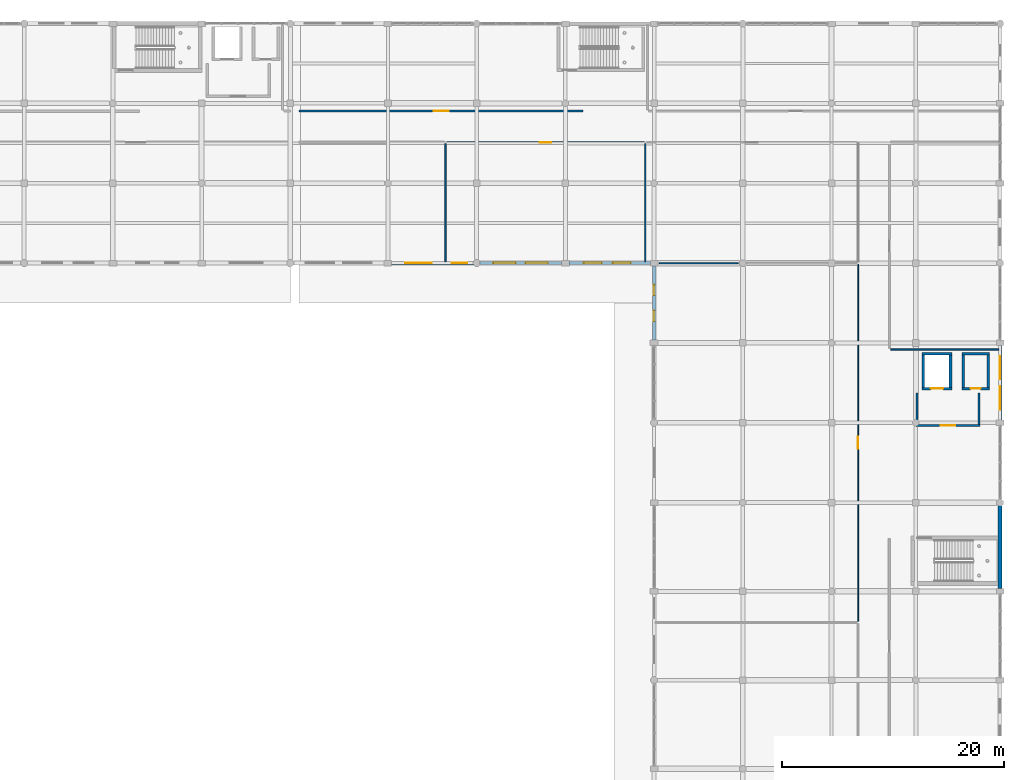
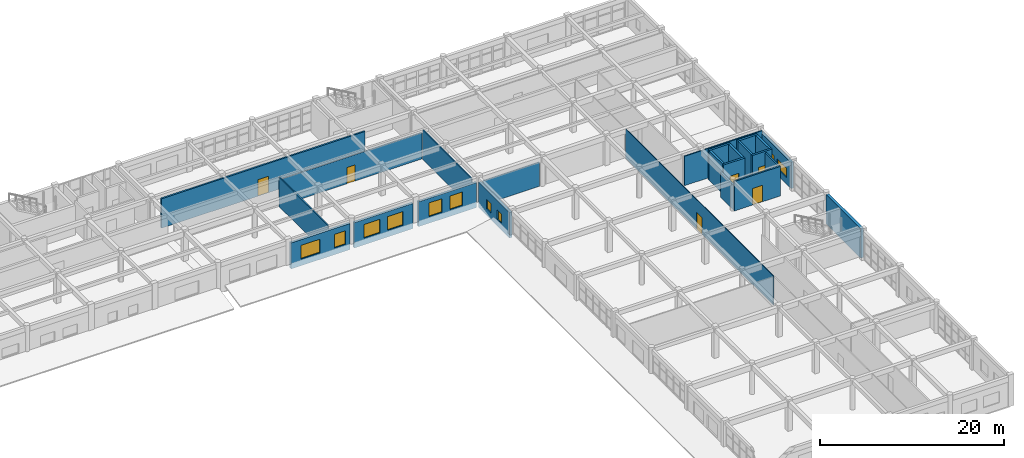
# One storey, part 111 of 121: 24 walls, 10 windows, 6 doors, 16 openings.
"""IFC4 building model written with IfcOpenShell, lengths in metres."""

from ifc_helpers import new_model, si_unit, direction, frame, frame_2d, origin, place, context, subcontext, project, spatial, rectangle, extrude, material, layer, layer_set, type_object, element, fill, save


model = new_model("IFC4")

# Units and contexts
model_context = context("Model", 3, precision=1e-05, world=origin(), true_north=direction((0.0, 1.0)))
body_context = subcontext(model_context, "Body", "Model", "MODEL_VIEW")
ifc_project = project(units=[si_unit("LENGTHUNIT", "METRE"), si_unit("AREAUNIT", "SQUARE_METRE"), si_unit("VOLUMEUNIT", "CUBIC_METRE"), si_unit("PLANEANGLEUNIT", "RADIAN"), si_unit("MASSUNIT", "GRAM", prefix="KILO")], contexts=[model_context])

# Site, building, storey
site_placement = place(None, origin())
site = spatial("IfcSite", under=ifc_project, at=site_placement, CompositionType="ELEMENT")
building_placement = place(site_placement, origin())
building = spatial("IfcBuilding", under=site, at=building_placement, Name="Kharva Crest Polytechnic", CompositionType="ELEMENT")
storey_placement = place(building_placement, frame((0.0, 0.0, 13.199951171875)))
storey = spatial("IfcBuildingStorey", under=building, at=storey_placement, Name="L03", CompositionType="ELEMENT", Elevation=13.199951171875)

# Wall, openings, windows
ifc_material_1 = material(Name="Kiln brick masonry", Category="masonry")
ifc_layer_1 = layer(ifc_material_1, 0.27490234375, Name="Kiln brick masonry")
ifc_layer_set_1 = layer_set([ifc_layer_1], Name="Kiln brick masonry")
wall_type_1 = type_object("IfcWallType", Name="WL-EXT-BRK-275", PredefinedType="SOLIDWALL", material=ifc_layer_set_1)
wall_1_placement = place(storey_placement, frame((145.14501953125, 100.39990234375, 0.0), z_axis=(0.0, 0.0, 1.0), x_axis=(1.0, 0.0, 0.0)))
wall_1 = element("IfcWall", 1, at=wall_1_placement, inside=storey, type_object=wall_type_1, Name="L03 Exterior Brick Wall 380", PredefinedType="SOLIDWALL", context=body_context, shape_type="SweptSolid", body=[
    extrude(rectangle(XDim=7.320068359375, YDim=0.27490234375, at=frame_2d((3.66015625, 0.0))), origin(), (0.0, 0.0, 1.0), 3.31005859375),
])
opening_1_placement = place(wall_1_placement, frame((1.324951171875, 0.0, 0.89990234375)))
opening_1 = element("IfcOpeningElement", 2, at=opening_1_placement, cuts=wall_1, Name="Opening W06", PredefinedType="OPENING", context=body_context, shape_type="SweptSolid", body=[
    extrude(rectangle(XDim=1.60009765625, YDim=1.800048828125, at=frame_2d((0.800048828125, 0.89990234375))), frame((0.0, 0.1474609375, 0.0), z_axis=(0.0, -1.0, 0.0), x_axis=(1.0, 0.0, 0.0)), (0.0, 0.0, 1.0), 0.294921875),
])
opening_2_placement = place(wall_1_placement, frame((3.929931640625, 0.0, 0.89990234375)))
opening_2 = element("IfcOpeningElement", 3, at=opening_2_placement, cuts=wall_1, Name="Opening W06", PredefinedType="OPENING", context=body_context, shape_type="SweptSolid", body=[
    extrude(rectangle(XDim=1.60009765625, YDim=1.800048828125, at=frame_2d((0.800048828125, 0.89990234375))), frame((0.0, 0.1474609375, 0.0), z_axis=(0.0, -1.0, 0.0), x_axis=(1.0, 0.0, 0.0)), (0.0, 0.0, 1.0), 0.294921875),
])
ifc_material_2 = material(Name="Anodised aluminium", Category="aluminium")
window_type_1 = type_object("IfcWindowType", Name="WIN-ALU-1600X1800", PartitioningType="SINGLE_PANEL", PredefinedType="WINDOW", material=ifc_material_2)
window_1_placement = place(opening_1_placement, origin())
window_1 = element("IfcWindow", 4, at=window_1_placement, inside=storey, type_object=window_type_1, Name="L03 Exterior Window 530", OverallHeight=1.800048828125, OverallWidth=1.60009765625, PartitioningType="SINGLE_PANEL", PredefinedType="WINDOW", context=body_context, shape_type="SweptSolid", body=[
    extrude(rectangle(XDim=1.60009765625, YDim=1.800048828125, at=frame_2d((0.800048828125, 0.89990234375))), frame((0.0, 0.030029296875, 0.0), z_axis=(0.0, -1.0, 0.0), x_axis=(1.0, 0.0, 0.0)), (0.0, 0.0, 1.0), 0.06005859375),
])
fill(opening_1, window_1)
window_2_placement = place(opening_2_placement, origin())
window_2 = element("IfcWindow", 5, at=window_2_placement, inside=storey, type_object=window_type_1, Name="L03 Exterior Window 531", OverallHeight=1.800048828125, OverallWidth=1.60009765625, PartitioningType="SINGLE_PANEL", PredefinedType="WINDOW", context=body_context, shape_type="SweptSolid", body=[
    extrude(rectangle(XDim=1.60009765625, YDim=1.800048828125, at=frame_2d((0.800048828125, 0.89990234375))), frame((0.0, 0.030029296875, 0.0), z_axis=(0.0, -1.0, 0.0), x_axis=(1.0, 0.0, 0.0)), (0.0, 0.0, 1.0), 0.06005859375),
])
fill(opening_2, window_2)

ifc_layer_2 = layer(ifc_material_1, 0.2900390625, Name="Kiln brick masonry")
ifc_layer_set_2 = layer_set([ifc_layer_2], Name="Kiln brick masonry")
wall_type_2 = type_object("IfcWallType", Name="WL-EXT-BRK-290", PredefinedType="SOLIDWALL", material=ifc_layer_set_2)
wall_2_placement = place(storey_placement, frame((137.06884765625, 100.39990234375, 0.0), z_axis=(0.0, 0.0, 1.0), x_axis=(1.0, 0.0, 0.0)))
wall_2 = element("IfcWall", 6, at=wall_2_placement, inside=storey, type_object=wall_type_2, Name="L03 Exterior Brick Wall 379", PredefinedType="SOLIDWALL", context=body_context, shape_type="SweptSolid", body=[
    extrude(rectangle(XDim=7.38623046875, YDim=0.2900390625, at=frame_2d((3.693115234375, 0.0))), origin(), (0.0, 0.0, 1.0), 3.360107421875),
])
opening_3_placement = place(wall_2_placement, frame((1.235107421875, 0.0, 0.89990234375)))
opening_3 = element("IfcOpeningElement", 7, at=opening_3_placement, cuts=wall_2, Name="Opening W04", PredefinedType="OPENING", context=body_context, shape_type="SweptSolid", body=[
    extrude(rectangle(XDim=2.0, YDim=1.800048828125, at=frame_2d((1.0, 0.89990234375))), frame((0.0, 0.155029296875, 0.0), z_axis=(0.0, -1.0, 0.0), x_axis=(1.0, 0.0, 0.0)), (0.0, 0.0, 1.0), 0.31005859375),
])
opening_4_placement = place(wall_2_placement, frame((4.15087890625, 0.0, 0.89990234375)))
opening_4 = element("IfcOpeningElement", 8, at=opening_4_placement, cuts=wall_2, Name="Opening W04", PredefinedType="OPENING", context=body_context, shape_type="SweptSolid", body=[
    extrude(rectangle(XDim=2.0, YDim=1.800048828125, at=frame_2d((1.0, 0.89990234375))), frame((0.0, 0.155029296875, 0.0), z_axis=(0.0, -1.0, 0.0), x_axis=(1.0, 0.0, 0.0)), (0.0, 0.0, 1.0), 0.31005859375),
])
window_type_2 = type_object("IfcWindowType", Name="WIN-ALU-2000X1800", PartitioningType="SINGLE_PANEL", PredefinedType="WINDOW", material=ifc_material_2)
window_3_placement = place(opening_3_placement, origin())
window_3 = element("IfcWindow", 9, at=window_3_placement, inside=storey, type_object=window_type_2, Name="L03 Exterior Window 528", OverallHeight=1.800048828125, OverallWidth=2.0, PartitioningType="SINGLE_PANEL", PredefinedType="WINDOW", context=body_context, shape_type="SweptSolid", body=[
    extrude(rectangle(XDim=2.0, YDim=1.800048828125, at=frame_2d((1.0, 0.89990234375))), frame((0.0, 0.030029296875, 0.0), z_axis=(0.0, -1.0, 0.0), x_axis=(1.0, 0.0, 0.0)), (0.0, 0.0, 1.0), 0.06005859375),
])
fill(opening_3, window_3)
window_4_placement = place(opening_4_placement, origin())
window_4 = element("IfcWindow", 10, at=window_4_placement, inside=storey, type_object=window_type_2, Name="L03 Exterior Window 529", OverallHeight=1.800048828125, OverallWidth=2.0, PartitioningType="SINGLE_PANEL", PredefinedType="WINDOW", context=body_context, shape_type="SweptSolid", body=[
    extrude(rectangle(XDim=2.0, YDim=1.800048828125, at=frame_2d((1.0, 0.89990234375))), frame((0.0, 0.030029296875, 0.0), z_axis=(0.0, -1.0, 0.0), x_axis=(1.0, 0.0, 0.0)), (0.0, 0.0, 1.0), 0.06005859375),
])
fill(opening_4, window_4)

ifc_layer_3 = layer(ifc_material_1, 0.304931640625, Name="Kiln brick masonry")
ifc_layer_set_3 = layer_set([ifc_layer_3], Name="Kiln brick masonry")
wall_type_3 = type_object("IfcWallType", Name="WL-EXT-BRK-305", PredefinedType="SOLIDWALL", material=ifc_layer_set_3)
wall_3_placement = place(storey_placement, frame((129.135009765625, 100.39990234375, 0.0), z_axis=(0.0, 0.0, 1.0), x_axis=(1.0, 0.0, 0.0)))
wall_3 = element("IfcWall", 11, at=wall_3_placement, inside=storey, type_object=wall_type_3, Name="L03 Exterior Brick Wall 378", PredefinedType="SOLIDWALL", context=body_context, shape_type="SweptSolid", body=[
    extrude(rectangle(XDim=7.396240234375, YDim=0.304931640625, at=frame_2d((3.6982421875, 0.0))), origin(), (0.0, 0.0, 1.0), 3.4599609375),
])
opening_5_placement = place(wall_3_placement, frame((1.23193359375, 0.0, 0.89990234375)))
opening_5 = element("IfcOpeningElement", 12, at=opening_5_placement, cuts=wall_3, Name="Opening W02", PredefinedType="OPENING", context=body_context, shape_type="SweptSolid", body=[
    extrude(rectangle(XDim=2.39990234375, YDim=1.800048828125, at=frame_2d((1.199951171875, 0.89990234375))), frame((0.0, 0.162353515625, 0.0), z_axis=(0.0, -1.0, 0.0), x_axis=(1.0, 0.0, 0.0)), (0.0, 0.0, 1.0), 0.324951171875),
])
opening_6_placement = place(wall_3_placement, frame((5.430908203125, 0.0, 0.89990234375)))
opening_6 = element("IfcOpeningElement", 13, at=opening_6_placement, cuts=wall_3, Name="Opening W07", PredefinedType="OPENING", context=body_context, shape_type="SweptSolid", body=[
    extrude(rectangle(XDim=1.39990234375, YDim=1.800048828125, at=frame_2d((0.699951171875, 0.89990234375))), frame((0.0, 0.162353515625, 0.0), z_axis=(0.0, -1.0, 0.0), x_axis=(1.0, 0.0, 0.0)), (0.0, 0.0, 1.0), 0.324951171875),
])
window_type_3 = type_object("IfcWindowType", Name="WIN-ALU-1400X1800", PartitioningType="SINGLE_PANEL", PredefinedType="WINDOW", material=ifc_material_2)
window_5_placement = place(opening_6_placement, origin())
window_5 = element("IfcWindow", 14, at=window_5_placement, inside=storey, type_object=window_type_3, Name="L03 Exterior Window 527", OverallHeight=1.800048828125, OverallWidth=1.39990234375, PartitioningType="SINGLE_PANEL", PredefinedType="WINDOW", context=body_context, shape_type="SweptSolid", body=[
    extrude(rectangle(XDim=1.39990234375, YDim=1.800048828125, at=frame_2d((0.699951171875, 0.89990234375))), frame((0.0, 0.030029296875, 0.0), z_axis=(0.0, -1.0, 0.0), x_axis=(1.0, 0.0, 0.0)), (0.0, 0.0, 1.0), 0.06005859375),
])
fill(opening_6, window_5)
window_type_4 = type_object("IfcWindowType", Name="WIN-ALU-2400X1800", PartitioningType="SINGLE_PANEL", PredefinedType="WINDOW", material=ifc_material_2)
window_6_placement = place(opening_5_placement, origin())
window_6 = element("IfcWindow", 15, at=window_6_placement, inside=storey, type_object=window_type_4, Name="L03 Exterior Window 526", OverallHeight=1.800048828125, OverallWidth=2.39990234375, PartitioningType="SINGLE_PANEL", PredefinedType="WINDOW", context=body_context, shape_type="SweptSolid", body=[
    extrude(rectangle(XDim=2.39990234375, YDim=1.800048828125, at=frame_2d((1.199951171875, 0.89990234375))), frame((0.0, 0.030029296875, 0.0), z_axis=(0.0, -1.0, 0.0), x_axis=(1.0, 0.0, 0.0)), (0.0, 0.0, 1.0), 0.06005859375),
])
fill(opening_5, window_6)

ifc_layer_4 = layer(ifc_material_1, 0.320068359375, Name="Kiln brick masonry")
ifc_layer_set_4 = layer_set([ifc_layer_4], Name="Kiln brick masonry")
wall_type_4 = type_object("IfcWallType", Name="WL-EXT-BRK-320", PredefinedType="SOLIDWALL", material=ifc_layer_set_4)
wall_4_placement = place(storey_placement, frame((152.800048828125, 100.155029296875, 0.0), z_axis=(0.0, 0.0, 1.0), x_axis=(0.0, -1.0, 0.0)))
wall_4 = element("IfcWall", 16, at=wall_4_placement, inside=storey, type_object=wall_type_4, Name="L03 Exterior Brick Wall 332", PredefinedType="SOLIDWALL", context=body_context, shape_type="SweptSolid", body=[
    extrude(rectangle(XDim=6.7099609375, YDim=0.320068359375, at=frame_2d((3.35498046875, 0.0))), origin(), (0.0, 0.0, 1.0), 3.380126953125),
])
opening_7_placement = place(wall_4_placement, frame((1.7099609375, 0.0, 0.89990234375)))
opening_7 = element("IfcOpeningElement", 17, at=opening_7_placement, cuts=wall_4, Name="Opening W22", PredefinedType="OPENING", context=body_context, shape_type="SweptSolid", body=[
    extrude(rectangle(XDim=0.949951171875, YDim=1.25, at=frame_2d((0.47509765625, 0.625))), frame((0.0, 0.169921875, 0.0), z_axis=(0.0, -1.0, 0.0), x_axis=(1.0, 0.0, 0.0)), (0.0, 0.0, 1.0), 0.340087890625),
])
opening_8_placement = place(wall_4_placement, frame((4.050048828125, 0.0, 0.89990234375)))
opening_8 = element("IfcOpeningElement", 18, at=opening_8_placement, cuts=wall_4, Name="Opening W22", PredefinedType="OPENING", context=body_context, shape_type="SweptSolid", body=[
    extrude(rectangle(XDim=0.949951171875, YDim=1.25, at=frame_2d((0.47509765625, 0.625))), frame((0.0, 0.169921875, 0.0), z_axis=(0.0, -1.0, 0.0), x_axis=(1.0, 0.0, 0.0)), (0.0, 0.0, 1.0), 0.340087890625),
])
window_type_5 = type_object("IfcWindowType", Name="WIN-ALU-950X1250", PartitioningType="SINGLE_PANEL", PredefinedType="WINDOW", material=ifc_material_2)
window_7_placement = place(opening_7_placement, origin())
window_7 = element("IfcWindow", 19, at=window_7_placement, inside=storey, type_object=window_type_5, Name="L03 Exterior Window 450", OverallHeight=1.25, OverallWidth=0.949951171875, PartitioningType="SINGLE_PANEL", PredefinedType="WINDOW", context=body_context, shape_type="SweptSolid", body=[
    extrude(rectangle(XDim=0.949951171875, YDim=1.25, at=frame_2d((0.47509765625, 0.625))), frame((0.0, 0.030029296875, 0.0), z_axis=(0.0, -1.0, 0.0), x_axis=(1.0, 0.0, 0.0)), (0.0, 0.0, 1.0), 0.06005859375),
])
fill(opening_7, window_7)
window_8_placement = place(opening_8_placement, origin())
window_8 = element("IfcWindow", 20, at=window_8_placement, inside=storey, type_object=window_type_5, Name="L03 Exterior Window 451", OverallHeight=1.25, OverallWidth=0.949951171875, PartitioningType="SINGLE_PANEL", PredefinedType="WINDOW", context=body_context, shape_type="SweptSolid", body=[
    extrude(rectangle(XDim=0.949951171875, YDim=1.25, at=frame_2d((0.47509765625, 0.625))), frame((0.0, 0.030029296875, 0.0), z_axis=(0.0, -1.0, 0.0), x_axis=(1.0, 0.0, 0.0)), (0.0, 0.0, 1.0), 0.06005859375),
])
fill(opening_8, window_8)

wall_5_placement = place(storey_placement, frame((184.0, 86.2451171875, 0.0), z_axis=(0.0, 0.0, 1.0), x_axis=(0.0, 1.0, 0.0)))
wall_5 = element("IfcWall", 21, at=wall_5_placement, inside=storey, type_object=wall_type_4, Name="L03 Exterior Brick Wall 343", PredefinedType="SOLIDWALL", context=body_context, shape_type="SweptSolid", body=[
    extrude(rectangle(XDim=6.7099609375, YDim=0.320068359375, at=frame_2d((3.35498046875, 0.0))), origin(), (0.0, 0.0, 1.0), 3.5),
])
opening_9_placement = place(wall_5_placement, frame((0.943115234375, 0.0, 0.89990234375)))
opening_9 = element("IfcOpeningElement", 22, at=opening_9_placement, cuts=wall_5, Name="Opening W18", PredefinedType="OPENING", context=body_context, shape_type="SweptSolid", body=[
    extrude(rectangle(XDim=2.10009765625, YDim=1.25, at=frame_2d((1.050048828125, 0.625))), frame((0.0, 0.169921875, 0.0), z_axis=(0.0, -1.0, 0.0), x_axis=(1.0, 0.0, 0.0)), (0.0, 0.0, 1.0), 0.340087890625),
])
opening_10_placement = place(wall_5_placement, frame((3.6669921875, 0.0, 0.89990234375)))
opening_10 = element("IfcOpeningElement", 23, at=opening_10_placement, cuts=wall_5, Name="Opening W18", PredefinedType="OPENING", context=body_context, shape_type="SweptSolid", body=[
    extrude(rectangle(XDim=2.10009765625, YDim=1.25, at=frame_2d((1.050048828125, 0.625))), frame((0.0, 0.169921875, 0.0), z_axis=(0.0, -1.0, 0.0), x_axis=(1.0, 0.0, 0.0)), (0.0, 0.0, 1.0), 0.340087890625),
])
window_type_6 = type_object("IfcWindowType", Name="WIN-ALU-2100X1250", PartitioningType="SINGLE_PANEL", PredefinedType="WINDOW", material=ifc_material_2)
window_9_placement = place(opening_9_placement, origin())
window_9 = element("IfcWindow", 24, at=window_9_placement, inside=storey, type_object=window_type_6, Name="L03 Exterior Window 470", OverallHeight=1.25, OverallWidth=2.10009765625, PartitioningType="SINGLE_PANEL", PredefinedType="WINDOW", context=body_context, shape_type="SweptSolid", body=[
    extrude(rectangle(XDim=2.10009765625, YDim=1.25, at=frame_2d((1.050048828125, 0.625))), frame((0.0, 0.030029296875, 0.0), z_axis=(0.0, -1.0, 0.0), x_axis=(1.0, 0.0, 0.0)), (0.0, 0.0, 1.0), 0.06005859375),
])
fill(opening_9, window_9)
window_10_placement = place(opening_10_placement, origin())
window_10 = element("IfcWindow", 25, at=window_10_placement, inside=storey, type_object=window_type_6, Name="L03 Exterior Window 471", OverallHeight=1.25, OverallWidth=2.10009765625, PartitioningType="SINGLE_PANEL", PredefinedType="WINDOW", context=body_context, shape_type="SweptSolid", body=[
    extrude(rectangle(XDim=2.10009765625, YDim=1.25, at=frame_2d((1.050048828125, 0.625))), frame((0.0, 0.030029296875, 0.0), z_axis=(0.0, -1.0, 0.0), x_axis=(1.0, 0.0, 0.0)), (0.0, 0.0, 1.0), 0.06005859375),
])
fill(opening_10, window_10)

# Wall
ifc_layer_5 = layer(ifc_material_1, 0.35009765625, Name="Kiln brick masonry")
ifc_layer_set_5 = layer_set([ifc_layer_5], Name="Kiln brick masonry")
wall_type_5 = type_object("IfcWallType", Name="WL-EXT-BRK-350", PredefinedType="SOLIDWALL", material=ifc_layer_set_5)
wall_6_placement = place(storey_placement, frame((184.0, 71.044921875, 0.0), z_axis=(0.0, 0.0, 1.0), x_axis=(0.0, 1.0, 0.0)))
element("IfcWall", 26, at=wall_6_placement, inside=storey, type_object=wall_type_5, Name="L03 Exterior Brick Wall 342", PredefinedType="SOLIDWALL", context=body_context, shape_type="SweptSolid", body=[
    extrude(rectangle(XDim=7.486328125, YDim=0.35009765625, at=frame_2d((3.7431640625, 0.0))), origin(), (0.0, 0.0, 1.0), 3.920166015625),
])

# Wall, opening, door
ifc_layer_6 = layer(ifc_material_1, 0.199951171875, Name="Kiln brick masonry")
ifc_layer_set_6 = layer_set([ifc_layer_6], Name="Kiln brick masonry")
wall_type_6 = type_object("IfcWallType", Name="WL-FIRE-FW1-200", PredefinedType="SOLIDWALL", material=ifc_layer_set_6)
wall_7_placement = place(storey_placement, frame((176.39990234375, 85.75, 0.0), z_axis=(0.0, 0.0, 1.0), x_axis=(1.0, 0.0, 0.0)))
wall_7 = element("IfcWall", 27, at=wall_7_placement, inside=storey, type_object=wall_type_6, Name="L03 Firefighting Lobby FL2 South Wall", PredefinedType="SOLIDWALL", context=body_context, shape_type="SweptSolid", body=[
    extrude(rectangle(XDim=5.800048828125, YDim=0.199951171875, at=frame_2d((2.89990234375, 0.0))), origin(), (0.0, 0.0, 1.0), 3.920166015625),
])
opening_11_placement = place(wall_7_placement, frame((2.25, 0.0, 0.0)))
opening_11 = element("IfcOpeningElement", 28, at=opening_11_placement, cuts=wall_7, Name="Opening FD2", PredefinedType="OPENING", context=body_context, shape_type="SweptSolid", body=[
    extrude(rectangle(XDim=1.300048828125, YDim=2.199951171875, at=frame_2d((0.64990234375, 1.10009765625))), frame((0.0, 0.10986328125, 0.0), z_axis=(0.0, -1.0, 0.0), x_axis=(1.0, 0.0, 0.0)), (0.0, 0.0, 1.0), 0.219970703125),
])
ifc_material_3 = material(Name="Teak timber", Category="wood")
door_type_1 = type_object("IfcDoorType", Name="DR-FFLOB-1300X2200", OperationType="NOTDEFINED", PredefinedType="DOOR", material=ifc_material_3)
door_1_placement = place(opening_11_placement, origin())
door_1 = element("IfcDoor", 29, at=door_1_placement, inside=storey, type_object=door_type_1, Name="L03 Firefighting Lobby FL2 Smoke Door", OperationType="SINGLE_SWING_RIGHT", OverallHeight=2.199951171875, OverallWidth=1.300048828125, PredefinedType="DOOR", context=body_context, shape_type="SweptSolid", body=[
    extrude(rectangle(XDim=1.300048828125, YDim=2.199951171875, at=frame_2d((0.64990234375, 1.10009765625))), frame((0.0, 0.02490234375, 0.0), z_axis=(0.0, -1.0, 0.0), x_axis=(1.0, 0.0, 0.0)), (0.0, 0.0, 1.0), 0.050048828125),
])
fill(opening_11, door_1)

# Walls
wall_8_placement = place(storey_placement, frame((176.5, 85.85009765625, 0.0), z_axis=(0.0, 0.0, 1.0), x_axis=(0.0, 1.0, 0.0)))
element("IfcWall", 30, at=wall_8_placement, inside=storey, type_object=wall_type_6, Name="L03 Firefighting Lobby FL2 West Wall", PredefinedType="SOLIDWALL", context=body_context, shape_type="SweptSolid", body=[
    extrude(rectangle(XDim=2.849853515625, YDim=0.199951171875, at=frame_2d((1.4248046875, 0.0))), origin(), (0.0, 0.0, 1.0), 3.280029296875),
])
wall_9_placement = place(storey_placement, frame((182.10009765625, 85.85009765625, 0.0), z_axis=(0.0, 0.0, 1.0), x_axis=(0.0, 1.0, 0.0)))
element("IfcWall", 31, at=wall_9_placement, inside=storey, type_object=wall_type_6, Name="L03 Firefighting Lobby FL2 East Wall", PredefinedType="SOLIDWALL", context=body_context, shape_type="SweptSolid", body=[
    extrude(rectangle(XDim=2.849853515625, YDim=0.199951171875, at=frame_2d((1.4248046875, 0.0))), origin(), (0.0, 0.0, 1.0), 3.920166015625),
])

# Wall, opening, door
ifc_layer_7 = layer(ifc_material_1, 0.090087890625, Name="Kiln brick masonry")
ifc_layer_set_7 = layer_set([ifc_layer_7], Name="Kiln brick masonry")
wall_type_7 = type_object("IfcWallType", Name="WL-PART-090", PredefinedType="PARTITIONING", material=ifc_layer_set_7)
wall_10_placement = place(storey_placement, frame((171.18994140625, 68.1201171875, 0.0), z_axis=(0.0, 0.0, 1.0), x_axis=(0.0, 1.0, 0.0)))
wall_10 = element("IfcWall", 32, at=wall_10_placement, inside=storey, type_object=wall_type_7, Name="L03 Interior Partition 329", PredefinedType="PARTITIONING", context=body_context, shape_type="SweptSolid", body=[
    extrude(rectangle(XDim=32.159912109375, YDim=0.090087890625, at=frame_2d((16.080078125, 0.0))), origin(), (0.0, 0.0, 1.0), 3.900146484375),
])
opening_12_placement = place(wall_10_placement, frame((15.52001953125, 0.0, 0.0)))
opening_12 = element("IfcOpeningElement", 33, at=opening_12_placement, cuts=wall_10, Name="Opening ID9", PredefinedType="OPENING", context=body_context, shape_type="SweptSolid", body=[
    extrude(rectangle(XDim=1.1201171875, YDim=2.199951171875, at=frame_2d((0.56005859375, 1.10009765625))), frame((0.0, 0.054931640625, 0.0), z_axis=(0.0, -1.0, 0.0), x_axis=(1.0, 0.0, 0.0)), (0.0, 0.0, 1.0), 0.110107421875),
])
door_type_2 = type_object("IfcDoorType", Name="DR-STD-1120X2200", OperationType="NOTDEFINED", PredefinedType="DOOR", material=ifc_material_3)
door_2_placement = place(opening_12_placement, origin())
door_2 = element("IfcDoor", 34, at=door_2_placement, inside=storey, type_object=door_type_2, Name="L03 Product Design Studio L03-E2 Door", OperationType="SINGLE_SWING_LEFT", OverallHeight=2.199951171875, OverallWidth=1.1201171875, PredefinedType="DOOR", context=body_context, shape_type="SweptSolid", body=[
    extrude(rectangle(XDim=1.1201171875, YDim=2.199951171875, at=frame_2d((0.56005859375, 1.10009765625))), frame((0.0, 0.02490234375, 0.0), z_axis=(0.0, -1.0, 0.0), x_axis=(1.0, 0.0, 0.0)), (0.0, 0.0, 1.0), 0.050048828125),
])
fill(opening_12, door_2)

# Walls
ifc_layer_8 = layer(ifc_material_1, 0.10009765625, Name="Kiln brick masonry")
ifc_layer_set_8 = layer_set([ifc_layer_8], Name="Kiln brick masonry")
wall_type_8 = type_object("IfcWallType", Name="WL-PART-100", PredefinedType="PARTITIONING", material=ifc_layer_set_8)
wall_11_placement = place(storey_placement, frame((153.27001953125, 100.389892578125, 0.0), z_axis=(0.0, 0.0, 1.0), x_axis=(1.0, 0.0, 0.0)))
element("IfcWall", 35, at=wall_11_placement, inside=storey, type_object=wall_type_8, Name="L03 Interior Partition 328", PredefinedType="PARTITIONING", context=body_context, shape_type="SweptSolid", body=[
    extrude(rectangle(XDim=7.10986328125, YDim=0.10009765625, at=frame_2d((3.554931640625, 0.0))), origin(), (0.0, 0.0, 1.0), 3.2099609375),
])
ifc_layer_9 = layer(ifc_material_1, 0.1298828125, Name="Kiln brick masonry")
ifc_layer_set_9 = layer_set([ifc_layer_9], Name="Kiln brick masonry")
wall_type_9 = type_object("IfcWallType", Name="WL-PART-130", PredefinedType="PARTITIONING", material=ifc_layer_set_9)
wall_12_placement = place(storey_placement, frame((152.0, 100.510009765625, 0.0), z_axis=(0.0, 0.0, 1.0), x_axis=(0.0, 1.0, 0.0)))
element("IfcWall", 36, at=wall_12_placement, inside=storey, type_object=wall_type_9, Name="L03 Interior Partition 315", PredefinedType="PARTITIONING", context=body_context, shape_type="SweptSolid", body=[
    extrude(rectangle(XDim=10.669921875, YDim=0.1298828125, at=frame_2d((5.3349609375, 0.0))), origin(), (0.0, 0.0, 1.0), 3.900146484375),
])

# Wall, opening, door
ifc_layer_10 = layer(ifc_material_1, 0.139892578125, Name="Kiln brick masonry")
ifc_layer_set_10 = layer_set([ifc_layer_10], Name="Kiln brick masonry")
wall_type_10 = type_object("IfcWallType", Name="WL-PART-140", PredefinedType="PARTITIONING", material=ifc_layer_set_10)
wall_13_placement = place(storey_placement, frame((134.1201171875, 111.2900390625, 0.0), z_axis=(0.0, 0.0, 1.0), x_axis=(1.0, 0.0, 0.0)))
wall_13 = element("IfcWall", 37, at=wall_13_placement, inside=storey, type_object=wall_type_10, Name="L03 Interior Partition 314", PredefinedType="PARTITIONING", context=body_context, shape_type="SweptSolid", body=[
    extrude(rectangle(XDim=17.769775390625, YDim=0.139892578125, at=frame_2d((8.884765625, 0.0))), origin(), (0.0, 0.0, 1.0), 3.5),
])
opening_13_placement = place(wall_13_placement, frame((8.364990234375, 0.0, 0.0)))
opening_13 = element("IfcOpeningElement", 38, at=opening_13_placement, cuts=wall_13, Name="Opening ID11", PredefinedType="OPENING", context=body_context, shape_type="SweptSolid", body=[
    extrude(rectangle(XDim=1.0400390625, YDim=2.14990234375, at=frame_2d((0.52001953125, 1.074951171875))), frame((0.0, 0.079833984375, 0.0), z_axis=(0.0, -1.0, 0.0), x_axis=(1.0, 0.0, 0.0)), (0.0, 0.0, 1.0), 0.159912109375),
])
door_type_3 = type_object("IfcDoorType", Name="DR-CLS-1040X2150", OperationType="NOTDEFINED", PredefinedType="DOOR", material=ifc_material_3)
door_3_placement = place(opening_13_placement, origin())
door_3 = element("IfcDoor", 39, at=door_3_placement, inside=storey, type_object=door_type_3, Name="L03 Group Study Seminar Room L03-A Door", OperationType="SINGLE_SWING_LEFT", OverallHeight=2.14990234375, OverallWidth=1.0400390625, PredefinedType="DOOR", context=body_context, shape_type="SweptSolid", body=[
    extrude(rectangle(XDim=1.0400390625, YDim=2.14990234375, at=frame_2d((0.52001953125, 1.074951171875))), frame((0.0, 0.02490234375, 0.0), z_axis=(0.0, -1.0, 0.0), x_axis=(1.0, 0.0, 0.0)), (0.0, 0.0, 1.0), 0.050048828125),
])
fill(opening_13, door_3)

# Walls
ifc_layer_11 = layer(ifc_material_1, 0.14990234375, Name="Kiln brick masonry")
ifc_layer_set_11 = layer_set([ifc_layer_11], Name="Kiln brick masonry")
wall_type_11 = type_object("IfcWallType", Name="WL-PART-150", PredefinedType="PARTITIONING", material=ifc_layer_set_11)
wall_14_placement = place(storey_placement, frame((134.0, 100.510009765625, 0.0), z_axis=(0.0, 0.0, 1.0), x_axis=(0.0, 1.0, 0.0)))
element("IfcWall", 40, at=wall_14_placement, inside=storey, type_object=wall_type_11, Name="L03 Interior Partition 313", PredefinedType="PARTITIONING", context=body_context, shape_type="SweptSolid", body=[
    extrude(rectangle(XDim=10.669921875, YDim=0.14990234375, at=frame_2d((5.3349609375, 0.0))), origin(), (0.0, 0.0, 1.0), 3.900146484375),
])
wall_15_placement = place(storey_placement, frame((174.1201171875, 92.60009765625, 0.0), z_axis=(0.0, 0.0, 1.0), x_axis=(1.0, 0.0, 0.0)))
element("IfcWall", 41, at=wall_15_placement, inside=storey, type_object=wall_type_11, Name="L03 Interior Partition 333", PredefinedType="PARTITIONING", context=body_context, shape_type="SweptSolid", body=[
    extrude(rectangle(XDim=9.769775390625, YDim=0.14990234375, at=frame_2d((4.884765625, 0.0))), origin(), (0.0, 0.0, 1.0), 3.900146484375),
])

# Wall, opening, door
ifc_layer_12 = layer(ifc_material_1, 0.205078125, Name="Kiln brick masonry")
ifc_layer_set_12 = layer_set([ifc_layer_12], Name="Kiln brick masonry")
wall_type_12 = type_object("IfcWallType", Name="WL-PART-205", PredefinedType="PARTITIONING", material=ifc_layer_set_12)
wall_16_placement = place(storey_placement, frame((120.800048828125, 114.110107421875, 0.0), z_axis=(0.0, 0.0, 1.0), x_axis=(1.0, 0.0, 0.0)))
wall_16 = element("IfcWall", 42, at=wall_16_placement, inside=storey, type_object=wall_type_12, Name="L03 Interior Partition 322 E", PredefinedType="PARTITIONING", context=body_context, shape_type="SweptSolid", body=[
    extrude(rectangle(XDim=25.579833984375, YDim=0.205078125, at=frame_2d((12.7900390625, 0.0))), origin(), (0.0, 0.0, 1.0), 3.900146484375),
])
opening_14_placement = place(wall_16_placement, frame((12.114990234375, 0.0, 0.0)))
opening_14 = element("IfcOpeningElement", 43, at=opening_14_placement, cuts=wall_16, Name="Opening ID6", PredefinedType="OPENING", context=body_context, shape_type="SweptSolid", body=[
    extrude(rectangle(XDim=1.35009765625, YDim=2.199951171875, at=frame_2d((0.675048828125, 1.10009765625))), frame((0.0, 0.112548828125, 0.0), z_axis=(0.0, -1.0, 0.0), x_axis=(1.0, 0.0, 0.0)), (0.0, 0.0, 1.0), 0.22509765625),
])
door_type_4 = type_object("IfcDoorType", Name="DR-LAB-1350X2200", OperationType="NOTDEFINED", PredefinedType="DOOR", material=ifc_material_3)
door_4_placement = place(opening_14_placement, origin())
door_4 = element("IfcDoor", 44, at=door_4_placement, inside=storey, type_object=door_type_4, Name="L03 Renewable Solar Energy Laboratory Door", OperationType="SINGLE_SWING_RIGHT", OverallHeight=2.199951171875, OverallWidth=1.35009765625, PredefinedType="DOOR", context=body_context, shape_type="SweptSolid", body=[
    extrude(rectangle(XDim=1.35009765625, YDim=2.199951171875, at=frame_2d((0.675048828125, 1.10009765625))), frame((0.0, 0.02490234375, 0.0), z_axis=(0.0, -1.0, 0.0), x_axis=(1.0, 0.0, 0.0)), (0.0, 0.0, 1.0), 0.050048828125),
])
fill(opening_14, door_4)

ifc_material_4 = material(Name="Concrete C40/50", Category="concrete")
ifc_layer_13 = layer(ifc_material_4, 0.25, Name="Concrete C40/50")
ifc_layer_set_13 = layer_set([ifc_layer_13], Name="Concrete C40/50")
wall_type_13 = type_object("IfcWallType", Name="WL-SHEAR-SW1-250", PredefinedType="SHEAR", material=ifc_layer_set_13)
wall_17_placement = place(storey_placement, frame((176.949951171875, 89.074951171875, 0.0), z_axis=(0.0, 0.0, 1.0), x_axis=(1.0, 0.0, 0.0)))
wall_17 = element("IfcWall", 45, at=wall_17_placement, inside=storey, type_object=wall_type_13, Name="L03 Lift FL2 South Shaft Wall", PredefinedType="SHEAR", context=body_context, shape_type="SweptSolid", body=[
    extrude(rectangle(XDim=2.699951171875, YDim=0.25, at=frame_2d((1.35009765625, 0.0))), origin(), (0.0, 0.0, 1.0), 3.920166015625),
])
opening_15_placement = place(wall_17_placement, frame((0.800048828125, 0.0, 0.0)))
opening_15 = element("IfcOpeningElement", 46, at=opening_15_placement, cuts=wall_17, Name="Opening LD1", PredefinedType="OPENING", context=body_context, shape_type="SweptSolid", body=[
    extrude(rectangle(XDim=1.10009765625, YDim=2.14990234375, at=frame_2d((0.550048828125, 1.074951171875))), frame((0.0, 0.135009765625, 0.0), z_axis=(0.0, -1.0, 0.0), x_axis=(1.0, 0.0, 0.0)), (0.0, 0.0, 1.0), 0.27001953125),
])
door_type_5 = type_object("IfcDoorType", Name="DR-LIFT-LD1-1100X2150", OperationType="SLIDING_TO_LEFT", PredefinedType="DOOR", material=ifc_material_2)
door_5_placement = place(opening_15_placement, origin())
door_5 = element("IfcDoor", 47, at=door_5_placement, inside=storey, type_object=door_type_5, Name="L03 Lift FL2 Sliding Landing Door", OperationType="SLIDING_TO_LEFT", OverallHeight=2.14990234375, OverallWidth=1.10009765625, PredefinedType="DOOR", context=body_context, shape_type="SweptSolid", body=[
    extrude(rectangle(XDim=1.10009765625, YDim=2.14990234375, at=frame_2d((0.550048828125, 1.074951171875))), frame((0.0, 0.02490234375, 0.0), z_axis=(0.0, -1.0, 0.0), x_axis=(1.0, 0.0, 0.0)), (0.0, 0.0, 1.0), 0.050048828125),
])
fill(opening_15, door_5)

# Walls
wall_18_placement = place(storey_placement, frame((176.949951171875, 92.22509765625, 0.0), z_axis=(0.0, 0.0, 1.0), x_axis=(1.0, 0.0, 0.0)))
element("IfcWall", 48, at=wall_18_placement, inside=storey, type_object=wall_type_13, Name="L03 Lift FL2 North Shaft Wall", PredefinedType="SHEAR", context=body_context, shape_type="SweptSolid", body=[
    extrude(rectangle(XDim=2.699951171875, YDim=0.25, at=frame_2d((1.35009765625, 0.0))), origin(), (0.0, 0.0, 1.0), 3.920166015625),
])
for number, where, z_axis, x_axis, name in (
    (49, (177.074951171875, 89.199951171875, 0.0), (0.0, 0.0, 1.0), (0.0, 1.0, 0.0), "L03 Lift FL2 West Shaft Wall"),
    (50, (179.52490234375, 89.199951171875, 0.0), (0.0, 0.0, 1.0), (0.0, 1.0, 0.0), "L03 Lift FL2 East Shaft Wall"),
):
    element("IfcWall", number, at=place(storey_placement, frame(where, z_axis=z_axis, x_axis=x_axis)), inside=storey, type_object=wall_type_13, Name=name, PredefinedType="SHEAR", context=body_context, shape_type="SweptSolid", body=[
        extrude(rectangle(XDim=2.900146484375, YDim=0.25, at=frame_2d((1.4501953125, 0.0))), origin(), (0.0, 0.0, 1.0), 3.920166015625),
    ])

# Wall, opening, door
wall_19_placement = place(storey_placement, frame((180.550048828125, 89.074951171875, 0.0), z_axis=(0.0, 0.0, 1.0), x_axis=(1.0, 0.0, 0.0)))
wall_19 = element("IfcWall", 51, at=wall_19_placement, inside=storey, type_object=wall_type_13, Name="L03 Core C5 Riser South Wall", PredefinedType="SHEAR", context=body_context, shape_type="SweptSolid", body=[
    extrude(rectangle(XDim=2.5, YDim=0.25, at=frame_2d((1.25, 0.0))), origin(), (0.0, 0.0, 1.0), 3.920166015625),
])
opening_16_placement = place(wall_19_placement, frame((0.800048828125, 0.0, 0.0)))
opening_16 = element("IfcOpeningElement", 52, at=opening_16_placement, cuts=wall_19, Name="Opening FD3", PredefinedType="OPENING", context=body_context, shape_type="SweptSolid", body=[
    extrude(rectangle(XDim=0.89990234375, YDim=2.050048828125, at=frame_2d((0.449951171875, 1.02490234375))), frame((0.0, 0.135009765625, 0.0), z_axis=(0.0, -1.0, 0.0), x_axis=(1.0, 0.0, 0.0)), (0.0, 0.0, 1.0), 0.27001953125),
])
door_type_6 = type_object("IfcDoorType", Name="DR-RISER-900X2050", OperationType="NOTDEFINED", PredefinedType="DOOR", material=ifc_material_2)
door_6_placement = place(opening_16_placement, origin())
door_6 = element("IfcDoor", 53, at=door_6_placement, inside=storey, type_object=door_type_6, Name="L03 Core C5 Riser Access Door", OperationType="SINGLE_SWING_LEFT", OverallHeight=2.050048828125, OverallWidth=0.89990234375, PredefinedType="DOOR", context=body_context, shape_type="SweptSolid", body=[
    extrude(rectangle(XDim=0.89990234375, YDim=2.050048828125, at=frame_2d((0.449951171875, 1.02490234375))), frame((0.0, 0.02490234375, 0.0), z_axis=(0.0, -1.0, 0.0), x_axis=(1.0, 0.0, 0.0)), (0.0, 0.0, 1.0), 0.050048828125),
])
fill(opening_16, door_6)

# Walls
wall_20_placement = place(storey_placement, frame((180.550048828125, 92.22509765625, 0.0), z_axis=(0.0, 0.0, 1.0), x_axis=(1.0, 0.0, 0.0)))
element("IfcWall", 54, at=wall_20_placement, inside=storey, type_object=wall_type_13, Name="L03 Core C5 Riser North Wall", PredefinedType="SHEAR", context=body_context, shape_type="SweptSolid", body=[
    extrude(rectangle(XDim=2.5, YDim=0.25, at=frame_2d((1.25, 0.0))), origin(), (0.0, 0.0, 1.0), 3.920166015625),
])
for number, where, z_axis, x_axis, name in (
    (55, (180.675048828125, 89.199951171875, 0.0), (0.0, 0.0, 1.0), (0.0, 1.0, 0.0), "L03 Core C5 Riser West Wall"),
    (56, (182.925048828125, 89.199951171875, 0.0), (0.0, 0.0, 1.0), (0.0, 1.0, 0.0), "L03 Core C5 Riser East Wall"),
):
    element("IfcWall", number, at=place(storey_placement, frame(where, z_axis=z_axis, x_axis=x_axis)), inside=storey, type_object=wall_type_13, Name=name, PredefinedType="SHEAR", context=body_context, shape_type="SweptSolid", body=[
        extrude(rectangle(XDim=2.900146484375, YDim=0.25, at=frame_2d((1.4501953125, 0.0))), origin(), (0.0, 0.0, 1.0), 3.920166015625),
    ])

save(model, "model.ifc")
